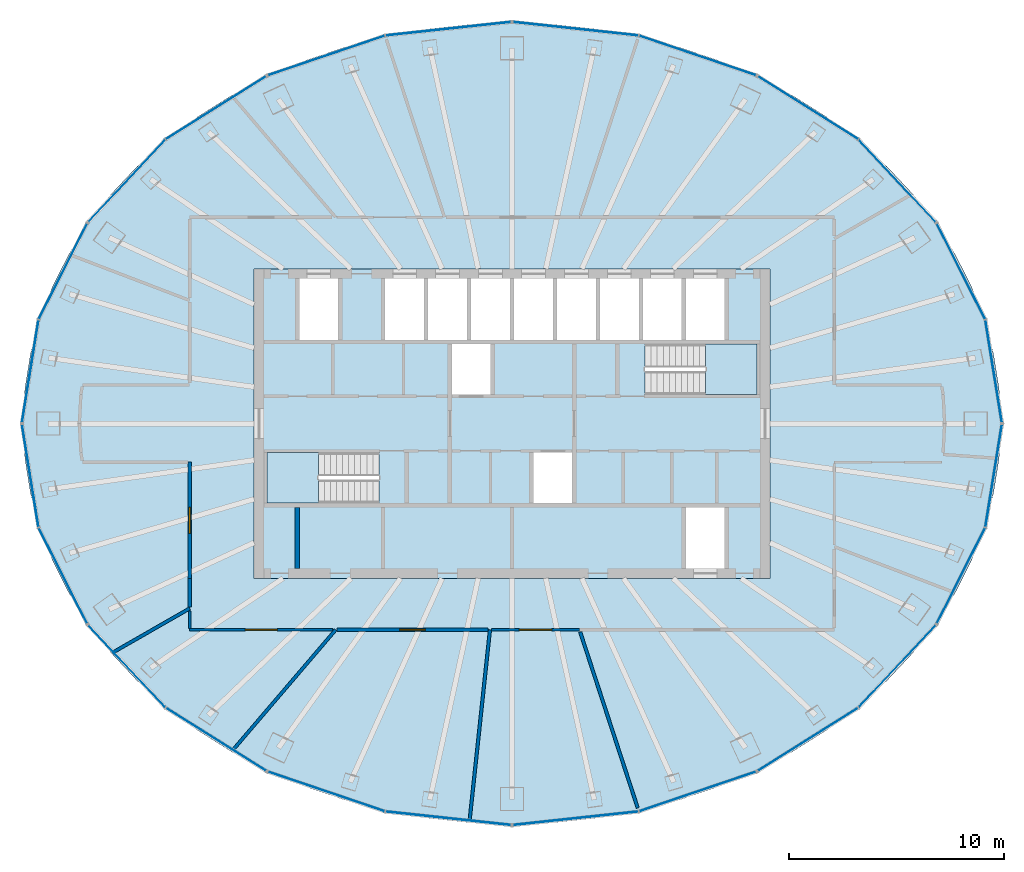
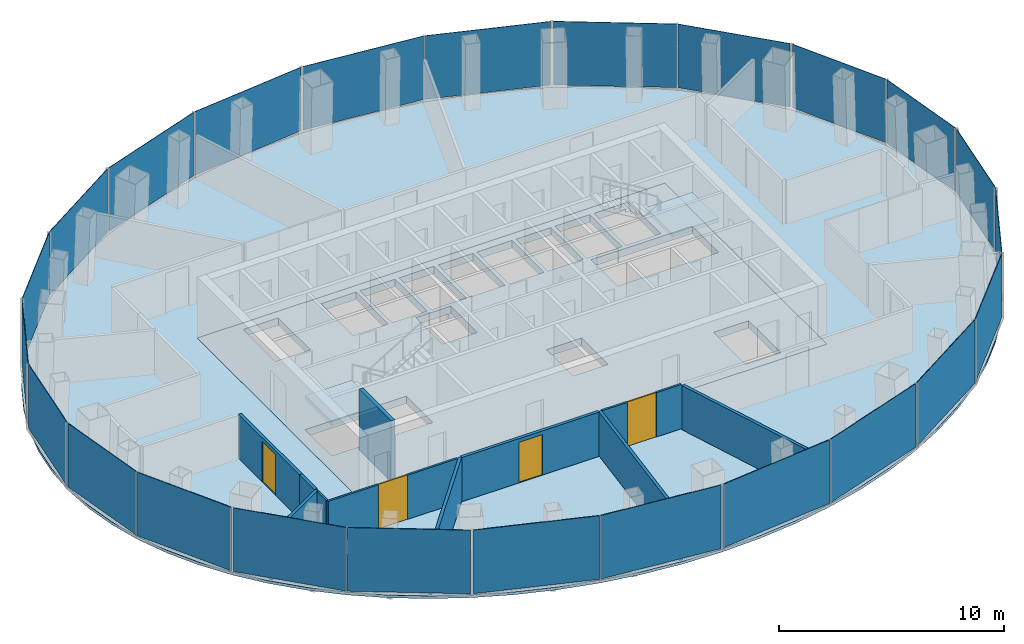
# One storey, part 7 of 11: 24 plates, 11 walls, 4 doors, 4 slabs, 4 openings, 14 elements without a shape of their own.
"""IFC4 building model written with IfcOpenShell, lengths in metres."""

from ifc_helpers import new_model, si_unit, direction, frame, frame_2d, origin, origin_2d, place, context, subcontext, project, spatial, polyline, rectangle, outline, extrude, material, layer, layer_set, type_object, element, fill, aggregate, save


model = new_model("IFC4")

# Units and contexts
model_context = context("Model", 3, precision=1e-05, world=origin(), true_north=direction((0.0, 1.0)))
body_context = subcontext(model_context, "Body", "Model", "MODEL_VIEW")
ifc_project = project(units=[si_unit("LENGTHUNIT", "METRE"), si_unit("AREAUNIT", "SQUARE_METRE"), si_unit("VOLUMEUNIT", "CUBIC_METRE"), si_unit("PLANEANGLEUNIT", "RADIAN"), si_unit("MASSUNIT", "GRAM", prefix="KILO")], contexts=[model_context])

# Site, building, storey
site_placement = place(None, origin())
site = spatial("IfcSite", under=ifc_project, at=site_placement, CompositionType="ELEMENT")
building_placement = place(site_placement, origin())
building = spatial("IfcBuilding", under=site, at=building_placement, Name="Siaravel Broadcast Tower", CompositionType="ELEMENT")
storey_placement = place(building_placement, frame((0.0, 0.0, 197.800048828125)))
storey = spatial("IfcBuildingStorey", under=building, at=storey_placement, Name="L48", CompositionType="ELEMENT", Elevation=197.800048828125)

# Curtain wall, plates
ifc_material_1 = material(Name="Aluminium 6063-T6", Category="aluminium")
ifc_layer_1 = layer(ifc_material_1, 0.179931640625)
ifc_layer_set_1 = layer_set([ifc_layer_1], Name="Aluminium 6063-T6")
curtain_wall_type = type_object("IfcCurtainWallType", Name="Unitised curtain wall, zone 3", PredefinedType="NOTDEFINED", material=ifc_layer_set_1)
curtain_wall_1_placement = place(storey_placement, origin())
curtain_wall_1 = element("IfcCurtainWall", 1, at=curtain_wall_1_placement, inside=storey, type_object=curtain_wall_type, Name="L48 Unitised curtain wall, zone 3 01", PredefinedType="NOTDEFINED")
ifc_material_2 = material(Name="Tinted insulated glass", Category="glass")
ifc_layer_2 = layer(ifc_material_2, 0.028076171875)
ifc_layer_set_2 = layer_set([ifc_layer_2], Name="Tinted insulated glass")
plate_type = type_object("IfcPlateType", Name="CW-Z3 glass panel", PredefinedType="CURTAIN_PANEL", material=ifc_layer_set_2)
plate_1_placement = place(storey_placement, frame((22.4189453125, 2.435302734375, 0.10009765625), z_axis=(0.0, 0.0, 1.0), x_axis=(-0.158685461, 0.987329188, 0.0)))
plate_1 = element("IfcPlate", 2, at=plate_1_placement, type_object=plate_type, Name="CW-Z3 glass panel", PredefinedType="CURTAIN_PANEL", context=body_context, shape_type="SweptSolid", body=[
    extrude(rectangle(XDim=4.81298828125, YDim=0.028076171875, at=origin_2d()), origin(), (0.0, 0.0, 1.0), 3.449951171875),
])
plate_2_placement = place(storey_placement, frame((20.898681640625, 7.082275390625, 0.10009765625), z_axis=(0.0, 0.0, 1.0), x_axis=(-0.45126085, 0.892392092, 0.0)))
plate_2 = element("IfcPlate", 3, at=plate_2_placement, type_object=plate_type, Name="CW-Z3 glass panel", PredefinedType="CURTAIN_PANEL", context=body_context, shape_type="SweptSolid", body=[
    extrude(rectangle(XDim=4.96337890625, YDim=0.028076171875, at=origin_2d()), origin(), (0.0, 0.0, 1.0), 3.449951171875),
])
aggregate(curtain_wall_1, [plate_1, plate_2])

curtain_wall_2_placement = place(storey_placement, origin())
curtain_wall_2 = element("IfcCurtainWall", 4, at=curtain_wall_2_placement, inside=storey, type_object=curtain_wall_type, Name="L48 Unitised curtain wall, zone 3 02", PredefinedType="NOTDEFINED")
plate_3_placement = place(storey_placement, frame((17.928466796875, 11.296875, 0.10009765625), z_axis=(0.0, 0.0, 1.0), x_axis=(-0.6836552, 0.729805157, 0.0)))
plate_3 = element("IfcPlate", 5, at=plate_3_placement, type_object=plate_type, Name="CW-Z3 glass panel", PredefinedType="CURTAIN_PANEL", context=body_context, shape_type="SweptSolid", body=[
    extrude(rectangle(XDim=5.214111328125, YDim=0.028076171875, at=origin_2d()), origin(), (0.0, 0.0, 1.0), 3.449951171875),
])
plate_4_placement = place(storey_placement, frame((13.7763671875, 14.697998046875, 0.10009765625), z_axis=(0.0, 0.0, 1.0), x_axis=(-0.846650687, 0.532149052, 0.0)))
plate_4 = element("IfcPlate", 6, at=plate_4_placement, type_object=plate_type, Name="CW-Z3 glass panel", PredefinedType="CURTAIN_PANEL", context=body_context, shape_type="SweptSolid", body=[
    extrude(rectangle(XDim=5.48974609375, YDim=0.028076171875, at=origin_2d()), origin(), (0.0, 0.0, 1.0), 3.449951171875),
])
aggregate(curtain_wall_2, [plate_3, plate_4])

curtain_wall_3_placement = place(storey_placement, origin())
curtain_wall_3 = element("IfcCurtainWall", 7, at=curtain_wall_3_placement, inside=storey, type_object=curtain_wall_type, Name="L48 Unitised curtain wall, zone 3 03", PredefinedType="NOTDEFINED")
plate_5_placement = place(storey_placement, frame((8.63720703125, 17.128662109375, 0.10009765625), z_axis=(0.0, 0.0, 1.0), x_axis=(-0.946977305, 0.321300458, 0.0)))
plate_5 = element("IfcPlate", 8, at=plate_5_placement, type_object=plate_type, Name="CW-Z3 glass panel", PredefinedType="CURTAIN_PANEL", context=body_context, shape_type="SweptSolid", body=[
    extrude(rectangle(XDim=5.718017578125, YDim=0.028076171875, at=origin_2d()), origin(), (0.0, 0.0, 1.0), 3.449951171875),
])
plate_6_placement = place(storey_placement, frame((2.9658203125, 18.373291015625, 0.10009765625), z_axis=(0.0, 0.0, 1.0), x_axis=(-0.994235598, 0.107217422, 0.0)))
plate_6 = element("IfcPlate", 9, at=plate_6_placement, type_object=plate_type, Name="CW-Z3 glass panel", PredefinedType="CURTAIN_PANEL", context=body_context, shape_type="SweptSolid", body=[
    extrude(rectangle(XDim=5.845703125, YDim=0.028076171875, at=origin_2d()), origin(), (0.0, 0.0, 1.0), 3.449951171875),
])
aggregate(curtain_wall_3, [plate_5, plate_6])

curtain_wall_4_placement = place(storey_placement, origin())
curtain_wall_4 = element("IfcCurtainWall", 10, at=curtain_wall_4_placement, inside=storey, type_object=curtain_wall_type, Name="L48 Unitised curtain wall, zone 3 04", PredefinedType="NOTDEFINED")
plate_7_placement = place(storey_placement, frame((-2.9658203125, 18.373291015625, 0.10009765625), z_axis=(0.0, 0.0, 1.0), x_axis=(-0.994235598, -0.107217422, 0.0)))
plate_7 = element("IfcPlate", 11, at=plate_7_placement, type_object=plate_type, Name="CW-Z3 glass panel", PredefinedType="CURTAIN_PANEL", context=body_context, shape_type="SweptSolid", body=[
    extrude(rectangle(XDim=5.845703125, YDim=0.028076171875, at=origin_2d()), origin(), (0.0, 0.0, 1.0), 3.449951171875),
])
plate_8_placement = place(storey_placement, frame((-8.63720703125, 17.128662109375, 0.10009765625), z_axis=(0.0, 0.0, 1.0), x_axis=(-0.946977305, -0.321300458, 0.0)))
plate_8 = element("IfcPlate", 12, at=plate_8_placement, type_object=plate_type, Name="CW-Z3 glass panel", PredefinedType="CURTAIN_PANEL", context=body_context, shape_type="SweptSolid", body=[
    extrude(rectangle(XDim=5.718017578125, YDim=0.028076171875, at=origin_2d()), origin(), (0.0, 0.0, 1.0), 3.449951171875),
])
aggregate(curtain_wall_4, [plate_7, plate_8])

curtain_wall_5_placement = place(storey_placement, origin())
curtain_wall_5 = element("IfcCurtainWall", 13, at=curtain_wall_5_placement, inside=storey, type_object=curtain_wall_type, Name="L48 Unitised curtain wall, zone 3 05", PredefinedType="NOTDEFINED")
plate_9_placement = place(storey_placement, frame((-13.7763671875, 14.697998046875, 0.10009765625), z_axis=(0.0, 0.0, 1.0), x_axis=(-0.846650687, -0.532149052, 0.0)))
plate_9 = element("IfcPlate", 14, at=plate_9_placement, type_object=plate_type, Name="CW-Z3 glass panel", PredefinedType="CURTAIN_PANEL", context=body_context, shape_type="SweptSolid", body=[
    extrude(rectangle(XDim=5.48974609375, YDim=0.028076171875, at=origin_2d()), origin(), (0.0, 0.0, 1.0), 3.449951171875),
])
plate_10_placement = place(storey_placement, frame((-17.928466796875, 11.296875, 0.10009765625), z_axis=(0.0, 0.0, 1.0), x_axis=(-0.6836552, -0.729805157, 0.0)))
plate_10 = element("IfcPlate", 15, at=plate_10_placement, type_object=plate_type, Name="CW-Z3 glass panel", PredefinedType="CURTAIN_PANEL", context=body_context, shape_type="SweptSolid", body=[
    extrude(rectangle(XDim=5.214111328125, YDim=0.028076171875, at=origin_2d()), origin(), (0.0, 0.0, 1.0), 3.449951171875),
])
aggregate(curtain_wall_5, [plate_9, plate_10])

curtain_wall_6_placement = place(storey_placement, origin())
curtain_wall_6 = element("IfcCurtainWall", 16, at=curtain_wall_6_placement, inside=storey, type_object=curtain_wall_type, Name="L48 Unitised curtain wall, zone 3 06", PredefinedType="NOTDEFINED")
plate_11_placement = place(storey_placement, frame((-20.898681640625, 7.082275390625, 0.10009765625), z_axis=(0.0, 0.0, 1.0), x_axis=(-0.45126085, -0.892392092, 0.0)))
plate_11 = element("IfcPlate", 17, at=plate_11_placement, type_object=plate_type, Name="CW-Z3 glass panel", PredefinedType="CURTAIN_PANEL", context=body_context, shape_type="SweptSolid", body=[
    extrude(rectangle(XDim=4.96337890625, YDim=0.028076171875, at=origin_2d()), origin(), (0.0, 0.0, 1.0), 3.449951171875),
])
plate_12_placement = place(storey_placement, frame((-22.4189453125, 2.435302734375, 0.10009765625), z_axis=(0.0, 0.0, 1.0), x_axis=(-0.158685461, -0.987329188, 0.0)))
plate_12 = element("IfcPlate", 18, at=plate_12_placement, type_object=plate_type, Name="CW-Z3 glass panel", PredefinedType="CURTAIN_PANEL", context=body_context, shape_type="SweptSolid", body=[
    extrude(rectangle(XDim=4.81298828125, YDim=0.028076171875, at=origin_2d()), origin(), (0.0, 0.0, 1.0), 3.449951171875),
])
aggregate(curtain_wall_6, [plate_11, plate_12])

curtain_wall_7_placement = place(storey_placement, origin())
curtain_wall_7 = element("IfcCurtainWall", 19, at=curtain_wall_7_placement, inside=storey, type_object=curtain_wall_type, Name="L48 Unitised curtain wall, zone 3 07", PredefinedType="NOTDEFINED")
plate_13_placement = place(storey_placement, frame((-22.4189453125, -2.435302734375, 0.10009765625), z_axis=(0.0, 0.0, 1.0), x_axis=(0.158685461, -0.987329188, 0.0)))
plate_13 = element("IfcPlate", 20, at=plate_13_placement, type_object=plate_type, Name="CW-Z3 glass panel", PredefinedType="CURTAIN_PANEL", context=body_context, shape_type="SweptSolid", body=[
    extrude(rectangle(XDim=4.81298828125, YDim=0.028076171875, at=origin_2d()), origin(), (0.0, 0.0, 1.0), 3.449951171875),
])
plate_14_placement = place(storey_placement, frame((-20.898681640625, -7.082275390625, 0.10009765625), z_axis=(0.0, 0.0, 1.0), x_axis=(0.45126085, -0.892392092, 0.0)))
plate_14 = element("IfcPlate", 21, at=plate_14_placement, type_object=plate_type, Name="CW-Z3 glass panel", PredefinedType="CURTAIN_PANEL", context=body_context, shape_type="SweptSolid", body=[
    extrude(rectangle(XDim=4.96337890625, YDim=0.028076171875, at=origin_2d()), origin(), (0.0, 0.0, 1.0), 3.449951171875),
])
aggregate(curtain_wall_7, [plate_13, plate_14])

curtain_wall_8_placement = place(storey_placement, origin())
curtain_wall_8 = element("IfcCurtainWall", 22, at=curtain_wall_8_placement, inside=storey, type_object=curtain_wall_type, Name="L48 Unitised curtain wall, zone 3 08", PredefinedType="NOTDEFINED")
plate_15_placement = place(storey_placement, frame((-17.928466796875, -11.296875, 0.10009765625), z_axis=(0.0, 0.0, 1.0), x_axis=(0.6836552, -0.729805157, 0.0)))
plate_15 = element("IfcPlate", 23, at=plate_15_placement, type_object=plate_type, Name="CW-Z3 glass panel", PredefinedType="CURTAIN_PANEL", context=body_context, shape_type="SweptSolid", body=[
    extrude(rectangle(XDim=5.214111328125, YDim=0.028076171875, at=origin_2d()), origin(), (0.0, 0.0, 1.0), 3.449951171875),
])
plate_16_placement = place(storey_placement, frame((-13.7763671875, -14.697998046875, 0.10009765625), z_axis=(0.0, 0.0, 1.0), x_axis=(0.846650687, -0.532149052, 0.0)))
plate_16 = element("IfcPlate", 24, at=plate_16_placement, type_object=plate_type, Name="CW-Z3 glass panel", PredefinedType="CURTAIN_PANEL", context=body_context, shape_type="SweptSolid", body=[
    extrude(rectangle(XDim=5.48974609375, YDim=0.028076171875, at=origin_2d()), origin(), (0.0, 0.0, 1.0), 3.449951171875),
])
aggregate(curtain_wall_8, [plate_15, plate_16])

curtain_wall_9_placement = place(storey_placement, origin())
curtain_wall_9 = element("IfcCurtainWall", 25, at=curtain_wall_9_placement, inside=storey, type_object=curtain_wall_type, Name="L48 Unitised curtain wall, zone 3 09", PredefinedType="NOTDEFINED")
plate_17_placement = place(storey_placement, frame((-8.63720703125, -17.128662109375, 0.10009765625), z_axis=(0.0, 0.0, 1.0), x_axis=(0.946977305, -0.321300458, 0.0)))
plate_17 = element("IfcPlate", 26, at=plate_17_placement, type_object=plate_type, Name="CW-Z3 glass panel", PredefinedType="CURTAIN_PANEL", context=body_context, shape_type="SweptSolid", body=[
    extrude(rectangle(XDim=5.718017578125, YDim=0.028076171875, at=origin_2d()), origin(), (0.0, 0.0, 1.0), 3.449951171875),
])
plate_18_placement = place(storey_placement, frame((-2.9658203125, -18.373291015625, 0.10009765625), z_axis=(0.0, 0.0, 1.0), x_axis=(0.994235598, -0.107217422, 0.0)))
plate_18 = element("IfcPlate", 27, at=plate_18_placement, type_object=plate_type, Name="CW-Z3 glass panel", PredefinedType="CURTAIN_PANEL", context=body_context, shape_type="SweptSolid", body=[
    extrude(rectangle(XDim=5.845703125, YDim=0.028076171875, at=origin_2d()), origin(), (0.0, 0.0, 1.0), 3.449951171875),
])
aggregate(curtain_wall_9, [plate_17, plate_18])

curtain_wall_10_placement = place(storey_placement, origin())
curtain_wall_10 = element("IfcCurtainWall", 28, at=curtain_wall_10_placement, inside=storey, type_object=curtain_wall_type, Name="L48 Unitised curtain wall, zone 3 10", PredefinedType="NOTDEFINED")
plate_19_placement = place(storey_placement, frame((2.9658203125, -18.373291015625, 0.10009765625), z_axis=(0.0, 0.0, 1.0), x_axis=(0.994235598, 0.107217422, 0.0)))
plate_19 = element("IfcPlate", 29, at=plate_19_placement, type_object=plate_type, Name="CW-Z3 glass panel", PredefinedType="CURTAIN_PANEL", context=body_context, shape_type="SweptSolid", body=[
    extrude(rectangle(XDim=5.845703125, YDim=0.028076171875, at=origin_2d()), origin(), (0.0, 0.0, 1.0), 3.449951171875),
])
plate_20_placement = place(storey_placement, frame((8.63720703125, -17.128662109375, 0.10009765625), z_axis=(0.0, 0.0, 1.0), x_axis=(0.946977305, 0.321300458, 0.0)))
plate_20 = element("IfcPlate", 30, at=plate_20_placement, type_object=plate_type, Name="CW-Z3 glass panel", PredefinedType="CURTAIN_PANEL", context=body_context, shape_type="SweptSolid", body=[
    extrude(rectangle(XDim=5.718017578125, YDim=0.028076171875, at=origin_2d()), origin(), (0.0, 0.0, 1.0), 3.449951171875),
])
aggregate(curtain_wall_10, [plate_19, plate_20])

curtain_wall_11_placement = place(storey_placement, origin())
curtain_wall_11 = element("IfcCurtainWall", 31, at=curtain_wall_11_placement, inside=storey, type_object=curtain_wall_type, Name="L48 Unitised curtain wall, zone 3 11", PredefinedType="NOTDEFINED")
plate_21_placement = place(storey_placement, frame((13.7763671875, -14.697998046875, 0.10009765625), z_axis=(0.0, 0.0, 1.0), x_axis=(0.846650687, 0.532149052, 0.0)))
plate_21 = element("IfcPlate", 32, at=plate_21_placement, type_object=plate_type, Name="CW-Z3 glass panel", PredefinedType="CURTAIN_PANEL", context=body_context, shape_type="SweptSolid", body=[
    extrude(rectangle(XDim=5.48974609375, YDim=0.028076171875, at=origin_2d()), origin(), (0.0, 0.0, 1.0), 3.449951171875),
])
plate_22_placement = place(storey_placement, frame((17.928466796875, -11.296875, 0.10009765625), z_axis=(0.0, 0.0, 1.0), x_axis=(0.6836552, 0.729805157, 0.0)))
plate_22 = element("IfcPlate", 33, at=plate_22_placement, type_object=plate_type, Name="CW-Z3 glass panel", PredefinedType="CURTAIN_PANEL", context=body_context, shape_type="SweptSolid", body=[
    extrude(rectangle(XDim=5.214111328125, YDim=0.028076171875, at=origin_2d()), origin(), (0.0, 0.0, 1.0), 3.449951171875),
])
aggregate(curtain_wall_11, [plate_21, plate_22])

curtain_wall_12_placement = place(storey_placement, origin())
curtain_wall_12 = element("IfcCurtainWall", 34, at=curtain_wall_12_placement, inside=storey, type_object=curtain_wall_type, Name="L48 Unitised curtain wall, zone 3 12", PredefinedType="NOTDEFINED")
plate_23_placement = place(storey_placement, frame((20.898681640625, -7.082275390625, 0.10009765625), z_axis=(0.0, 0.0, 1.0), x_axis=(0.45126085, 0.892392092, 0.0)))
plate_23 = element("IfcPlate", 35, at=plate_23_placement, type_object=plate_type, Name="CW-Z3 glass panel", PredefinedType="CURTAIN_PANEL", context=body_context, shape_type="SweptSolid", body=[
    extrude(rectangle(XDim=4.96337890625, YDim=0.028076171875, at=origin_2d()), origin(), (0.0, 0.0, 1.0), 3.449951171875),
])
plate_24_placement = place(storey_placement, frame((22.4189453125, -2.435302734375, 0.10009765625), z_axis=(0.0, 0.0, 1.0), x_axis=(0.158685461, 0.987329188, 0.0)))
plate_24 = element("IfcPlate", 36, at=plate_24_placement, type_object=plate_type, Name="CW-Z3 glass panel", PredefinedType="CURTAIN_PANEL", context=body_context, shape_type="SweptSolid", body=[
    extrude(rectangle(XDim=4.81298828125, YDim=0.028076171875, at=origin_2d()), origin(), (0.0, 0.0, 1.0), 3.449951171875),
])
aggregate(curtain_wall_12, [plate_23, plate_24])

# Slabs
ifc_material_3 = material(Name="Concrete C40/50", Category="concrete")
ifc_layer_3 = layer(ifc_material_3, 0.39990234375)
ifc_layer_set_3 = layer_set([ifc_layer_3], Name="Concrete C40/50")
slab_type_1 = type_object("IfcSlabType", Name="Core floor slab 400", PredefinedType="FLOOR", material=ifc_layer_set_3)
slab_1_placement = place(storey_placement, frame((0.0, 0.0, -0.400146484375)))
element("IfcSlab", 37, at=slab_1_placement, inside=storey, type_object=slab_type_1, Name="L48 core floor", PredefinedType="FLOOR", context=body_context, shape_type="SweptSolid", body=[
    extrude(outline(polyline([(-12.0, -7.199951171875), (-12.0, 7.199951171875), (12.0, 7.199951171875), (12.0, -7.199951171875), (-12.0, -7.199951171875)]), holes=[polyline([(11.3994140625, 1.3505859375), (11.3994140625, 3.699462890625), (6.200439453125, 3.699462890625), (6.200439453125, 1.3505859375), (11.3994140625, 1.3505859375)]), polyline([(8.10009765625, -3.89990234375), (8.10009765625, -6.75), (9.89990234375, -6.75), (9.89990234375, -3.89990234375), (8.10009765625, -3.89990234375)]), polyline([(9.89990234375, 6.75), (8.10009765625, 6.75), (8.10009765625, 3.89990234375), (9.89990234375, 3.89990234375), (9.89990234375, 6.75)]), polyline([(7.89990234375, 6.75), (6.10009765625, 6.75), (6.10009765625, 3.89990234375), (7.89990234375, 3.89990234375), (7.89990234375, 6.75)]), polyline([(5.89990234375, 6.75), (4.10009765625, 6.75), (4.10009765625, 3.89990234375), (5.89990234375, 3.89990234375), (5.89990234375, 6.75)]), polyline([(3.89990234375, 6.75), (2.10009765625, 6.75), (2.10009765625, 3.89990234375), (3.89990234375, 3.89990234375), (3.89990234375, 6.75)]), polyline([(2.800048828125, -1.35009765625), (1.0, -1.35009765625), (1.0, -3.699951171875), (2.800048828125, -3.699951171875), (2.800048828125, -1.35009765625)]), polyline([(1.89990234375, 6.75), (0.10009765625, 6.75), (0.10009765625, 3.89990234375), (1.89990234375, 3.89990234375), (1.89990234375, 6.75)]), polyline([(-0.10009765625, 6.75), (-1.89990234375, 6.75), (-1.89990234375, 3.89990234375), (-0.10009765625, 3.89990234375), (-0.10009765625, 6.75)]), polyline([(-1.0, 3.699951171875), (-2.800048828125, 3.699951171875), (-2.800048828125, 1.35009765625), (-1.0, 1.35009765625), (-1.0, 3.699951171875)]), polyline([(-2.10009765625, 6.75), (-3.89990234375, 6.75), (-3.89990234375, 3.89990234375), (-2.10009765625, 3.89990234375), (-2.10009765625, 6.75)]), polyline([(-4.10009765625, 6.75), (-5.89990234375, 6.75), (-5.89990234375, 3.89990234375), (-4.10009765625, 3.89990234375), (-4.10009765625, 6.75)]), polyline([(-11.3994140625, -3.699462890625), (-6.200439453125, -3.699462890625), (-6.200439453125, -1.3505859375), (-11.3994140625, -1.3505859375), (-11.3994140625, -3.699462890625)]), polyline([(-8.10009765625, 6.75), (-9.89990234375, 6.75), (-9.89990234375, 3.89990234375), (-8.10009765625, 3.89990234375), (-8.10009765625, 6.75)])]), origin(), (0.0, 0.0, 1.0), 0.400146484375),
])
ifc_layer_4 = layer(ifc_material_3, 0.14990234375)
ifc_layer_set_4 = layer_set([ifc_layer_4], Name="Concrete C40/50")
slab_type_2 = type_object("IfcSlabType", Name="SLB-FLOOR-150", PredefinedType="FLOOR", material=ifc_layer_set_4)
slab_2_placement = place(storey_placement, frame((0.0, 0.0, -0.150146484375)))
element("IfcSlab", 38, at=slab_2_placement, inside=storey, type_object=slab_type_2, Name="Floor slab", PredefinedType="FLOOR", context=body_context, shape_type="SweptSolid", body=[
    extrude(outline(polyline([(22.76025390625, 0.0), (22.673583984375, 1.625), (22.41455078125, 3.2373046875), (21.98486328125, 4.8251953125), (21.3876953125, 6.376220703125), (20.627685546875, 7.87890625), (19.7109375, 9.321533203125), (18.64404296875, 10.693359375), (17.435302734375, 11.983642578125), (16.093994140625, 13.1826171875), (14.6298828125, 14.281494140625), (13.0546875, 15.271484375), (11.380126953125, 16.1455078125), (9.618896484375, 16.896484375), (7.784423828125, 17.518798828125), (5.890869140625, 18.0078125), (3.952392578125, 18.360107421875), (1.983642578125, 18.572265625), (0.0, 18.643310546875), (-1.983642578125, 18.572265625), (-3.952392578125, 18.360107421875), (-5.890869140625, 18.0078125), (-7.784423828125, 17.518798828125), (-9.618896484375, 16.896484375), (-11.380126953125, 16.1455078125), (-13.0546875, 15.271484375), (-14.6298828125, 14.281494140625), (-16.093994140625, 13.1826171875), (-17.435302734375, 11.983642578125), (-18.64404296875, 10.693359375), (-19.7109375, 9.321533203125), (-20.627685546875, 7.87890625), (-21.3876953125, 6.376220703125), (-21.98486328125, 4.8251953125), (-22.41455078125, 3.2373046875), (-22.673583984375, 1.625), (-22.76025390625, 0.0), (-22.673583984375, -1.625), (-22.41455078125, -3.2373046875), (-21.98486328125, -4.8251953125), (-21.3876953125, -6.376220703125), (-20.627685546875, -7.87890625), (-19.7109375, -9.321533203125), (-18.64404296875, -10.693359375), (-17.435302734375, -11.983642578125), (-16.093994140625, -13.1826171875), (-14.6298828125, -14.281494140625), (-13.0546875, -15.271484375), (-11.380126953125, -16.1455078125), (-9.618896484375, -16.896484375), (-7.784423828125, -17.518798828125), (-5.890869140625, -18.0078125), (-3.952392578125, -18.360107421875), (-1.983642578125, -18.572265625), (0.0, -18.643310546875), (1.983642578125, -18.572265625), (3.952392578125, -18.360107421875), (5.890869140625, -18.0078125), (7.784423828125, -17.518798828125), (9.618896484375, -16.896484375), (11.380126953125, -16.1455078125), (13.0546875, -15.271484375), (14.6298828125, -14.281494140625), (16.093994140625, -13.1826171875), (17.435302734375, -11.983642578125), (18.64404296875, -10.693359375), (19.7109375, -9.321533203125), (20.627685546875, -7.87890625), (21.3876953125, -6.376220703125), (21.98486328125, -4.8251953125), (22.41455078125, -3.2373046875), (22.673583984375, -1.625), (22.76025390625, 0.0)]), holes=[polyline([(-12.0, 7.199951171875), (12.0, 7.199951171875), (12.0, -7.199951171875), (-12.0, -7.199951171875), (-12.0, 7.199951171875)])]), origin(), (0.0, 0.0, 1.0), 0.150146484375),
])

# Stair, slab
stair_type = type_object("IfcStairType", Name="Core exit stair", PredefinedType="HALF_TURN_STAIR", material=ifc_material_3)
stair_1_placement = place(storey_placement, origin())
stair_1 = element("IfcStair", 39, at=stair_1_placement, inside=storey, type_object=stair_type, Name="L48 Exit stair ST-1", PredefinedType="HALF_TURN_STAIR")
ifc_layer_5 = layer(ifc_material_3, 0.199951171875)
ifc_layer_set_5 = layer_set([ifc_layer_5], Name="Concrete C40/50")
slab_type_3 = type_object("IfcSlabType", Name="Stair landing", PredefinedType="LANDING", material=ifc_layer_set_5)
slab_3_placement = place(storey_placement, frame((0.0, 0.0, 1.64990234375)))
slab_3 = element("IfcSlab", 40, at=slab_3_placement, type_object=slab_type_3, Name="ST-1 landing 1", PredefinedType="LANDING", context=body_context, shape_type="SweptSolid", body=[
    extrude(outline(polyline([(-9.0, -1.35009765625), (-11.39990234375, -1.35009765625), (-11.39990234375, -3.699951171875), (-9.0, -3.699951171875), (-9.0, -1.35009765625)])), origin(), (0.0, 0.0, 1.0), 0.199951171875),
])
aggregate(stair_1, [slab_3])

stair_2_placement = place(storey_placement, origin())
stair_2 = element("IfcStair", 41, at=stair_2_placement, inside=storey, type_object=stair_type, Name="L48 Exit stair ST-2", PredefinedType="HALF_TURN_STAIR")
slab_4_placement = place(storey_placement, frame((0.0, 0.0, 1.64990234375)))
slab_4 = element("IfcSlab", 42, at=slab_4_placement, type_object=slab_type_3, Name="ST-2 landing 1", PredefinedType="LANDING", context=body_context, shape_type="SweptSolid", body=[
    extrude(outline(polyline([(9.0, 1.35009765625), (11.39990234375, 1.35009765625), (11.39990234375, 3.699951171875), (9.0, 3.699951171875), (9.0, 1.35009765625)])), origin(), (0.0, 0.0, 1.0), 0.199951171875),
])
aggregate(stair_2, [slab_4])

# Wall, opening, door
ifc_material_4 = material(Name="Gypsum board partition", Category="gypsum")
ifc_layer_6 = layer(ifc_material_4, 0.14990234375)
ifc_layer_set_6 = layer_set([ifc_layer_6], Name="Gypsum board partition")
wall_type_1 = type_object("IfcWallType", Name="Corridor wall 150", PredefinedType="PARTITIONING", material=ifc_layer_set_6)
wall_1_placement = place(storey_placement, frame((-8.1474609375, -9.60009765625, 0.0), z_axis=(0.0, 0.0, 1.0), x_axis=(1.0, 0.0, 0.0)))
wall_1 = element("IfcWall", 43, at=wall_1_placement, inside=storey, type_object=wall_type_1, Name="L48 partition 9", PredefinedType="PARTITIONING", context=body_context, shape_type="SweptSolid", body=[
    extrude(rectangle(XDim=7.03662109375, YDim=0.14990234375, at=frame_2d((3.518310546875, 0.0))), origin(), (0.0, 0.0, 1.0), 2.39990234375),
])
opening_1_placement = place(wall_1_placement, frame((2.918212890625, 0.0, 0.0)))
opening_1 = element("IfcOpeningElement", 44, at=opening_1_placement, cuts=wall_1, Name="Opening L48-001", PredefinedType="OPENING", context=body_context, shape_type="SweptSolid", body=[
    extrude(rectangle(XDim=1.199951171875, YDim=2.199951171875, at=frame_2d((0.60009765625, 1.10009765625))), frame((0.0, 0.0849609375, 0.0), z_axis=(0.0, -1.0, 0.0), x_axis=(1.0, 0.0, 0.0)), (0.0, 0.0, 1.0), 0.169921875),
])
ifc_material_5 = material(Name="Timber veneer", Category="wood")
door_type_1 = type_object("IfcDoorType", Name="Office double door 1200", OperationType="DOUBLE_DOOR_SINGLE_SWING", PredefinedType="DOOR", material=ifc_material_5)
door_1_placement = place(opening_1_placement, origin())
door_1 = element("IfcDoor", 45, at=door_1_placement, inside=storey, type_object=door_type_1, Name="L48 door to Open plan office", OperationType="DOUBLE_DOOR_SINGLE_SWING", OverallHeight=2.199951171875, OverallWidth=1.199951171875, PredefinedType="DOOR", context=body_context, shape_type="SweptSolid", body=[
    extrude(rectangle(XDim=1.199951171875, YDim=2.199951171875, at=frame_2d((0.60009765625, 1.10009765625))), frame((0.0, 0.02490234375, 0.0), z_axis=(0.0, -1.0, 0.0), x_axis=(1.0, 0.0, 0.0)), (0.0, 0.0, 1.0), 0.050048828125),
])
fill(opening_1, door_1)

wall_2_placement = place(storey_placement, frame((-15.0, -1.800048828125, 0.0), z_axis=(0.0, 0.0, 1.0), x_axis=(0.0, -1.0, 0.0)))
wall_2 = element("IfcWall", 46, at=wall_2_placement, inside=storey, type_object=wall_type_1, Name="L48 partition 15", PredefinedType="PARTITIONING", context=body_context, shape_type="SweptSolid", body=[
    extrude(rectangle(XDim=5.411865234375, YDim=0.14990234375, at=frame_2d((2.7060546875, 0.0))), origin(), (0.0, 0.0, 1.0), 2.39990234375),
])
opening_2_placement = place(wall_2_placement, frame((2.10595703125, 0.0, 0.0)))
opening_2 = element("IfcOpeningElement", 47, at=opening_2_placement, cuts=wall_2, Name="Opening L48-011", PredefinedType="OPENING", context=body_context, shape_type="SweptSolid", body=[
    extrude(rectangle(XDim=1.199951171875, YDim=2.199951171875, at=frame_2d((0.60009765625, 1.10009765625))), frame((0.0, 0.0849609375, 0.0), z_axis=(0.0, -1.0, 0.0), x_axis=(1.0, 0.0, 0.0)), (0.0, 0.0, 1.0), 0.169921875),
])
door_2_placement = place(opening_2_placement, origin())
door_2 = element("IfcDoor", 48, at=door_2_placement, inside=storey, type_object=door_type_1, Name="L48 door to Open plan office", OperationType="DOUBLE_DOOR_SINGLE_SWING", OverallHeight=2.199951171875, OverallWidth=1.199951171875, PredefinedType="DOOR", context=body_context, shape_type="SweptSolid", body=[
    extrude(rectangle(XDim=1.199951171875, YDim=2.199951171875, at=frame_2d((0.60009765625, 1.10009765625))), frame((0.0, 0.02490234375, 0.0), z_axis=(0.0, -1.0, 0.0), x_axis=(1.0, 0.0, 0.0)), (0.0, 0.0, 1.0), 0.050048828125),
])
fill(opening_2, door_2)

# Wall
wall_3_placement = place(storey_placement, frame((-15.0, -7.212890625, 0.0), z_axis=(0.0, 0.0, 1.0), x_axis=(0.0, -1.0, 0.0)))
element("IfcWall", 49, at=wall_3_placement, inside=storey, type_object=wall_type_1, Name="L48 partition 33", PredefinedType="PARTITIONING", context=body_context, shape_type="SweptSolid", body=[
    extrude(rectangle(XDim=1.3232421875, YDim=0.14990234375, at=frame_2d((0.66162109375, 0.0))), origin(), (0.0, 0.0, 1.0), 2.39990234375),
])

# Wall, opening, door
ifc_material_6 = material(Name="Glazed aluminium partition", Category="aluminium")
ifc_layer_7 = layer(ifc_material_6, 0.10009765625)
ifc_layer_set_7 = layer_set([ifc_layer_7], Name="Glazed aluminium partition")
wall_type_2 = type_object("IfcWallType", Name="Glazed meeting room partition 100", PredefinedType="PARTITIONING", material=ifc_layer_set_7)
wall_4_placement = place(storey_placement, frame((-15.0, -9.60009765625, 0.0), z_axis=(0.0, 0.0, 1.0), x_axis=(1.0, 0.0, 0.0)))
wall_4 = element("IfcWall", 50, at=wall_4_placement, inside=storey, type_object=wall_type_2, Name="L48 partition 10", PredefinedType="PARTITIONING", context=body_context, shape_type="SweptSolid", body=[
    extrude(rectangle(XDim=6.650146484375, YDim=0.10009765625, at=frame_2d((3.3251953125, 0.0))), origin(), (0.0, 0.0, 1.0), 2.39990234375),
])
opening_3_placement = place(wall_4_placement, frame((2.5751953125, 0.0, 0.0)))
opening_3 = element("IfcOpeningElement", 51, at=opening_3_placement, cuts=wall_4, Name="Opening L48-012", PredefinedType="OPENING", context=body_context, shape_type="SweptSolid", body=[
    extrude(rectangle(XDim=1.5, YDim=2.39990234375, at=frame_2d((0.75, 1.199951171875))), frame((0.0, 0.06005859375, 0.0), z_axis=(0.0, -1.0, 0.0), x_axis=(1.0, 0.0, 0.0)), (0.0, 0.0, 1.0), 0.1201171875),
])
door_type_2 = type_object("IfcDoorType", Name="Conference double door 1500", OperationType="DOUBLE_DOOR_SINGLE_SWING", PredefinedType="DOOR", material=ifc_material_5)
door_3_placement = place(opening_3_placement, origin())
door_3 = element("IfcDoor", 52, at=door_3_placement, inside=storey, type_object=door_type_2, Name="L48 door to Boardroom", OperationType="DOUBLE_DOOR_SINGLE_SWING", OverallHeight=2.39990234375, OverallWidth=1.5, PredefinedType="DOOR", context=body_context, shape_type="SweptSolid", body=[
    extrude(rectangle(XDim=1.5, YDim=2.39990234375, at=frame_2d((0.75, 1.199951171875))), frame((0.0, 0.02490234375, 0.0), z_axis=(0.0, -1.0, 0.0), x_axis=(1.0, 0.0, 0.0)), (0.0, 0.0, 1.0), 0.050048828125),
])
fill(opening_3, door_3)

wall_5_placement = place(storey_placement, frame((-0.94873046875, -9.60009765625, 0.0), z_axis=(0.0, 0.0, 1.0), x_axis=(1.0, 0.0, 0.0)))
wall_5 = element("IfcWall", 53, at=wall_5_placement, inside=storey, type_object=wall_type_2, Name="L48 partition 22", PredefinedType="PARTITIONING", context=body_context, shape_type="SweptSolid", body=[
    extrude(rectangle(XDim=4.088134765625, YDim=0.10009765625, at=frame_2d((2.0439453125, 0.0))), origin(), (0.0, 0.0, 1.0), 2.39990234375),
])
opening_4_placement = place(wall_5_placement, frame((1.294189453125, 0.0, 0.0)))
opening_4 = element("IfcOpeningElement", 54, at=opening_4_placement, cuts=wall_5, Name="Opening L48-002", PredefinedType="OPENING", context=body_context, shape_type="SweptSolid", body=[
    extrude(rectangle(XDim=1.5, YDim=2.39990234375, at=frame_2d((0.75, 1.199951171875))), frame((0.0, 0.06005859375, 0.0), z_axis=(0.0, -1.0, 0.0), x_axis=(1.0, 0.0, 0.0)), (0.0, 0.0, 1.0), 0.1201171875),
])
door_4_placement = place(opening_4_placement, origin())
door_4 = element("IfcDoor", 55, at=door_4_placement, inside=storey, type_object=door_type_2, Name="L48 door to Training room", OperationType="DOUBLE_DOOR_SINGLE_SWING", OverallHeight=2.39990234375, OverallWidth=1.5, PredefinedType="DOOR", context=body_context, shape_type="SweptSolid", body=[
    extrude(rectangle(XDim=1.5, YDim=2.39990234375, at=frame_2d((0.75, 1.199951171875))), frame((0.0, 0.02490234375, 0.0), z_axis=(0.0, -1.0, 0.0), x_axis=(1.0, 0.0, 0.0)), (0.0, 0.0, 1.0), 0.050048828125),
])
fill(opening_4, door_4)

# Walls
wall_6_placement = place(storey_placement, frame((-15.0, -8.720458984375, 0.0), z_axis=(0.0, 0.0, 1.0), x_axis=(0.0, -1.0, 0.0)))
element("IfcWall", 56, at=wall_6_placement, inside=storey, type_object=wall_type_2, Name="L48 partition 38", PredefinedType="PARTITIONING", context=body_context, shape_type="SweptSolid", body=[
    extrude(rectangle(XDim=0.82763671875, YDim=0.10009765625, at=frame_2d((0.413818359375, 0.0))), origin(), (0.0, 0.0, 1.0), 2.39990234375),
])
ifc_layer_8 = layer(ifc_material_4, 0.14990234375)
ifc_layer_set_8 = layer_set([ifc_layer_8], Name="Gypsum board partition")
wall_type_3 = type_object("IfcWallType", Name="Room partition 150", PredefinedType="PARTITIONING", material=ifc_layer_set_8)
wall_7_placement = place(storey_placement, frame((-1.970947265625, -18.45263671875, 0.0), z_axis=(0.0, 0.0, 1.0), x_axis=(0.106207781, 0.994343958, 0.0)))
element("IfcWall", 57, at=wall_7_placement, inside=storey, type_object=wall_type_3, Name="L48 partition 3", PredefinedType="PARTITIONING", context=body_context, shape_type="SweptSolid", body=[
    extrude(rectangle(XDim=8.90283203125, YDim=0.14990234375, at=frame_2d((4.451416015625, 0.0))), origin(), (0.0, 0.0, 1.0), 2.39990234375),
])
wall_8_placement = place(storey_placement, frame((5.853271484375, -17.892822265625, 0.0), z_axis=(0.0, 0.0, 1.0), x_axis=(-0.310929285, 0.950433049, 0.0)))
element("IfcWall", 58, at=wall_8_placement, inside=storey, type_object=wall_type_3, Name="L48 partition 5", PredefinedType="PARTITIONING", context=body_context, shape_type="SweptSolid", body=[
    extrude(rectangle(XDim=8.619873046875, YDim=0.14990234375, at=frame_2d((4.31005859375, 0.0))), origin(), (0.0, 0.0, 1.0), 2.39990234375),
])
wall_9_placement = place(storey_placement, frame((-8.20654296875, -9.60009765625, 0.0), z_axis=(0.0, 0.0, 1.0), x_axis=(-0.649790761, -0.760113128, 0.0)))
element("IfcWall", 59, at=wall_9_placement, inside=storey, type_object=wall_type_3, Name="L48 partition 8", PredefinedType="PARTITIONING", context=body_context, shape_type="SweptSolid", body=[
    extrude(rectangle(XDim=7.338134765625, YDim=0.14990234375, at=frame_2d((3.6689453125, 0.0))), origin(), (0.0, 0.0, 1.0), 2.39990234375),
])
wall_10_placement = place(storey_placement, frame((-18.537109375, -10.632080078125, 0.0), z_axis=(0.0, 0.0, 1.0), x_axis=(0.867438786, 0.49754392, 0.0)))
element("IfcWall", 60, at=wall_10_placement, inside=storey, type_object=wall_type_3, Name="L48 partition 23", PredefinedType="PARTITIONING", context=body_context, shape_type="SweptSolid", body=[
    extrude(rectangle(XDim=4.07763671875, YDim=0.14990234375, at=frame_2d((2.038818359375, 0.0))), origin(), (0.0, 0.0, 1.0), 2.39990234375),
])
ifc_material_7 = material(Name="Concrete C60/75", Category="concrete")
ifc_layer_9 = layer(ifc_material_7, 0.199951171875)
ifc_layer_set_9 = layer_set([ifc_layer_9], Name="Concrete C60/75")
wall_type_4 = type_object("IfcWallType", Name="Shaft wall 200", PredefinedType="SHEAR", material=ifc_layer_set_9)
wall_11_placement = place(storey_placement, frame((-10.0, -6.75, 0.0), z_axis=(0.0, 0.0, 1.0), x_axis=(0.0, 1.0, 0.0)))
element("IfcWall", 61, at=wall_11_placement, inside=storey, type_object=wall_type_4, Name="L48 core wall SWS0", PredefinedType="SHEAR", context=body_context, shape_type="SweptSolid", body=[
    extrude(rectangle(XDim=2.85009765625, YDim=0.199951171875, at=frame_2d((1.425048828125, 0.0))), origin(), (0.0, 0.0, 1.0), 3.300048828125),
])

save(model, "model.ifc")
